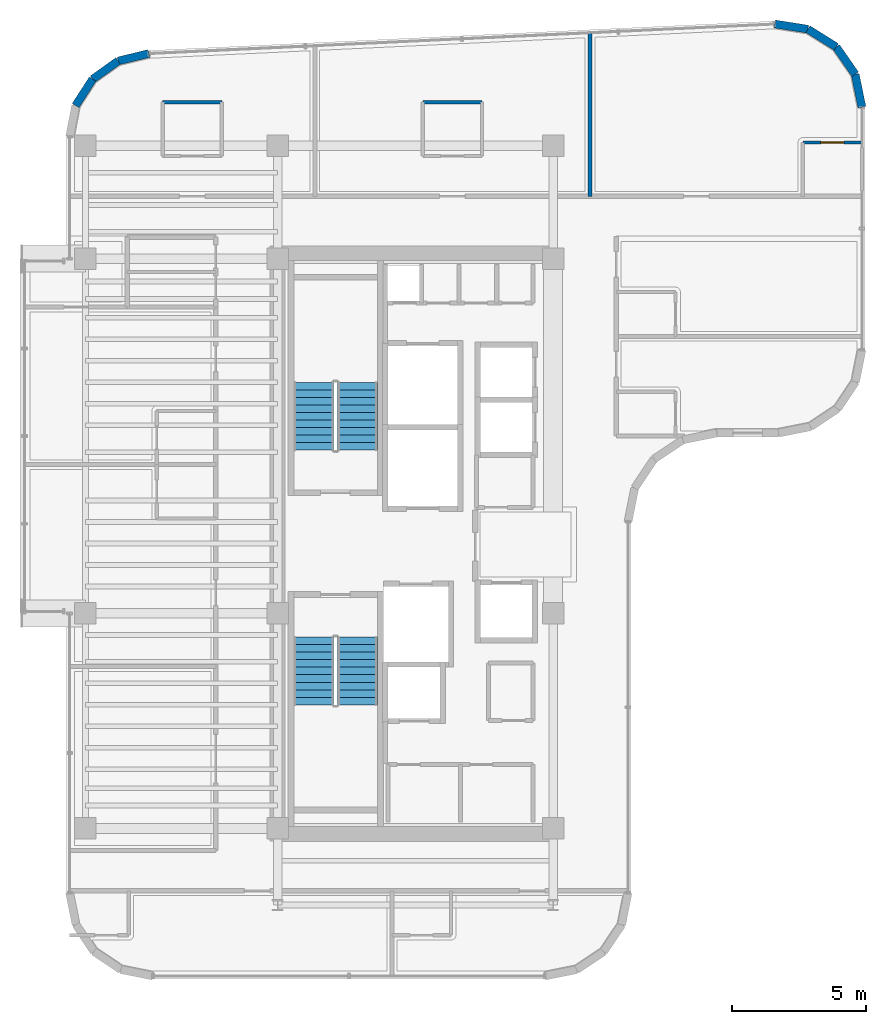
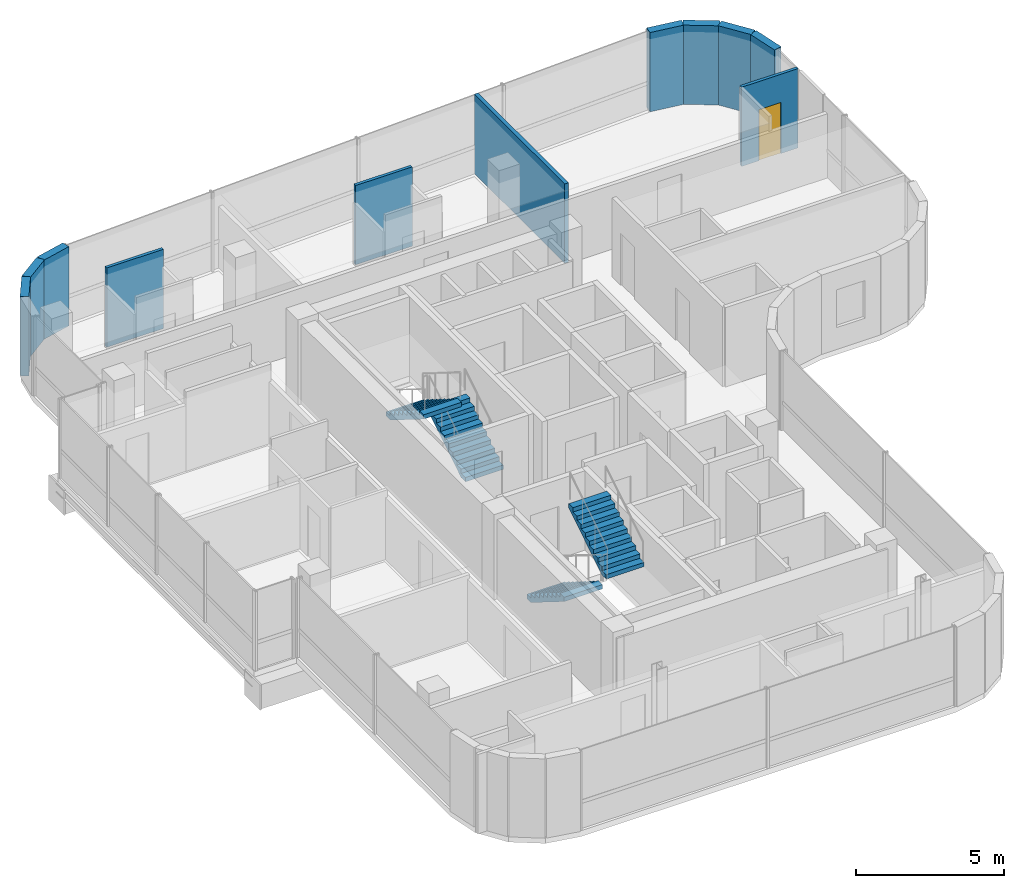
# One storey, part 17 of 20: 11 walls, 4 stair flights, 1 door, 1 opening, 2 elements without a shape of their own.
"""IFC4 building model written with IfcOpenShell, lengths in metres."""

from ifc_helpers import new_model, si_unit, direction, frame, frame_2d, origin, place, context, subcontext, project, spatial, polyline, rectangle, outline, extrude, material, layer, layer_set, type_object, element, fill, aggregate, save


model = new_model("IFC4")

# Units and contexts
model_context = context("Model", 3, precision=1e-05, world=origin(), true_north=direction((0.0, 1.0)))
body_context = subcontext(model_context, "Body", "Model", "MODEL_VIEW")
ifc_project = project(units=[si_unit("LENGTHUNIT", "METRE"), si_unit("AREAUNIT", "SQUARE_METRE"), si_unit("VOLUMEUNIT", "CUBIC_METRE"), si_unit("PLANEANGLEUNIT", "RADIAN"), si_unit("MASSUNIT", "GRAM", prefix="KILO")], contexts=[model_context])

# Site, building, storey
site_placement = place(None, origin())
site = spatial("IfcSite", under=ifc_project, at=site_placement, CompositionType="ELEMENT")
building_placement = place(site_placement, origin())
building = spatial("IfcBuilding", under=site, at=building_placement, Name="Valdorenza Pilgrim Sanctuary Tower", CompositionType="ELEMENT")
storey_placement = place(building_placement, frame((0.0, 0.0, 244.0)))
storey = spatial("IfcBuildingStorey", under=building, at=storey_placement, Name="L63", CompositionType="ELEMENT", Elevation=244.0)

# Walls
ifc_material_1 = material(Name="Honed travertine limestone", Category="masonry")
ifc_layer_1 = layer(ifc_material_1, 0.300048828125, Name="Honed travertine limestone")
ifc_layer_set_1 = layer_set([ifc_layer_1], Name="Honed travertine limestone")
wall_type_1 = type_object("IfcWallType", Name="WAL-EXT-300", PredefinedType="SOLIDWALL", material=ifc_layer_set_1)
wall_1_placement = place(storey_placement, frame((-30.16650390625, 16.29541015625, 0.0), z_axis=(0.0, 0.0, 1.0), x_axis=(0.540842020947, 0.841124193195, 0.0)))
element("IfcWall", 1, at=wall_1_placement, inside=storey, type_object=wall_type_1, Name="L63 Rounded Wind-Corner Stone Pier 3", PredefinedType="SOLIDWALL", context=body_context, shape_type="SweptSolid", body=[
    extrude(rectangle(XDim=1.169189453125, YDim=0.300048828125, at=frame_2d((0.58447265625, 0.0))), origin(), (0.0, 0.0, 1.0), 3.260009765625),
])
wall_2_placement = place(storey_placement, frame((-29.5341796875, 17.27880859375, 0.0), z_axis=(0.0, 0.0, 1.0), x_axis=(0.81466371606, 0.579933642527, 0.0)))
element("IfcWall", 2, at=wall_2_placement, inside=storey, type_object=wall_type_1, Name="L63 Rounded Wind-Corner Stone Pier 4", PredefinedType="SOLIDWALL", context=body_context, shape_type="SweptSolid", body=[
    extrude(rectangle(XDim=1.1689453125, YDim=0.300048828125, at=frame_2d((0.58447265625, 0.0))), origin(), (0.0, 0.0, 1.0), 3.260009765625),
])
wall_3_placement = place(storey_placement, frame((-28.581787109375, 17.956787109375, 0.0), z_axis=(0.0, 0.0, 1.0), x_axis=(0.971929016595, 0.235274279725, 0.0)))
element("IfcWall", 3, at=wall_3_placement, inside=storey, type_object=wall_type_1, Name="L63 Rounded Wind-Corner Stone Pier 5", PredefinedType="SOLIDWALL", context=body_context, shape_type="SweptSolid", body=[
    extrude(rectangle(XDim=1.179931640625, YDim=0.300048828125, at=frame_2d((0.58984375, 0.0))), origin(), (0.0, 0.0, 1.0), 3.260009765625),
])
wall_4_placement = place(storey_placement, frame((-4.15673828125, 19.331787109375, 0.0), z_axis=(0.0, 0.0, 1.0), x_axis=(0.987969236552, -0.15465053387, 0.0)))
element("IfcWall", 4, at=wall_4_placement, inside=storey, type_object=wall_type_1, Name="L63 Rounded Wind-Corner Stone Pier 7", PredefinedType="SOLIDWALL", context=body_context, shape_type="SweptSolid", body=[
    extrude(rectangle(XDim=1.251953125, YDim=0.300048828125, at=frame_2d((0.6259765625, 0.0))), origin(), (0.0, 0.0, 1.0), 3.260009765625),
])
for number, where, z_axis, x_axis, name in (
    (5, (-2.919921875, 19.13818359375, 0.0), (0.0, 0.0, 1.0), (0.847489288141, -0.530812496543, 0.0), "L63 Rounded Wind-Corner Stone Pier 8"),
    (6, (-1.86865234375, 18.479736328125, 0.0), (0.0, 0.0, 1.0), (0.570181861951, -0.821518499063, 0.0), "L63 Rounded Wind-Corner Stone Pier 9"),
):
    element("IfcWall", number, at=place(storey_placement, frame(where, z_axis=z_axis, x_axis=x_axis)), inside=storey, type_object=wall_type_1, Name=name, PredefinedType="SOLIDWALL", context=body_context, shape_type="SweptSolid", body=[
        extrude(rectangle(XDim=1.240478515625, YDim=0.300048828125, at=frame_2d((0.6201171875, 0.0))), origin(), (0.0, 0.0, 1.0), 3.260009765625),
    ])
wall_5_placement = place(storey_placement, frame((-1.161376953125, 17.460693359375, 0.0), z_axis=(0.0, 0.0, 1.0), x_axis=(0.20087696073, -0.979616479367, 0.0)))
element("IfcWall", 7, at=wall_5_placement, inside=storey, type_object=wall_type_1, Name="L63 Rounded Wind-Corner Stone Pier 10", PredefinedType="SOLIDWALL", context=body_context, shape_type="SweptSolid", body=[
    extrude(rectangle(XDim=1.251953125, YDim=0.300048828125, at=frame_2d((0.6259765625, 0.0))), origin(), (0.0, 0.0, 1.0), 3.260009765625),
])
ifc_material_2 = material(Name="Moisture-resistant gypsum partition", Category="gypsum")
ifc_layer_2 = layer(ifc_material_2, 0.1201171875, Name="Moisture-resistant gypsum partition")
ifc_layer_set_2 = layer_set([ifc_layer_2], Name="Moisture-resistant gypsum partition")
wall_type_2 = type_object("IfcWallType", Name="WAL-INT-120", PredefinedType="PARTITIONING", material=ifc_layer_set_2)
for number, where, z_axis, x_axis, name in (
    (8, (-26.928466796875, 16.419921875, 0.0), (0.0, 0.0, 1.0), (1.0, 0.0, 0.0), "L63 North Guest Room L63-N1 En-suite Back Wall"),
    (9, (-17.25, 16.419921875, 0.0), (0.0, 0.0, 1.0), (1.0, 0.0, 0.0), "L63 North Guest Room L63-N2 En-suite Back Wall"),
):
    element("IfcWall", number, at=place(storey_placement, frame(where, z_axis=z_axis, x_axis=x_axis)), inside=storey, type_object=wall_type_2, Name=name, PredefinedType="PARTITIONING", context=body_context, shape_type="SweptSolid", body=[
        extrude(rectangle(XDim=2.199951171875, YDim=0.1201171875, at=frame_2d((1.10009765625, 0.0))), origin(), (0.0, 0.0, 1.0), 3.260009765625),
    ])

# Wall, opening, door
wall_6_placement = place(storey_placement, frame((-3.110107421875, 14.919921875, 0.0), z_axis=(0.0, 0.0, 1.0), x_axis=(1.0, 0.0, 0.0)))
wall_6 = element("IfcWall", 10, at=wall_6_placement, inside=storey, type_object=wall_type_2, Name="L63 North Guest Room L63-N3 En-suite Door Wall", PredefinedType="PARTITIONING", context=body_context, shape_type="SweptSolid", body=[
    extrude(rectangle(XDim=2.2001953125, YDim=0.1201171875, at=frame_2d((1.10009765625, 0.0))), origin(), (0.0, 0.0, 1.0), 3.260009765625),
])
opening_placement = place(wall_6_placement, frame((0.675048828125, 0.0, 0.0)))
opening = element("IfcOpeningElement", 11, at=opening_placement, cuts=wall_6, Name="Opening DR-WC1", PredefinedType="OPENING", context=body_context, shape_type="SweptSolid", body=[
    extrude(rectangle(XDim=0.85009765625, YDim=2.10009765625, at=frame_2d((0.425048828125, 1.050048828125))), frame((0.0, 0.074951171875, 0.0), z_axis=(0.0, -1.0, 0.0), x_axis=(1.0, 0.0, 0.0)), (0.0, 0.0, 1.0), 0.14990234375),
])
ifc_material_3 = material(Name="Moisture-resistant lacquered timber", Category="wood")
door_type = type_object("IfcDoorType", Name="DR-BATH-850", OperationType="NOTDEFINED", PredefinedType="DOOR", material=ifc_material_3)
door_placement = place(opening_placement, origin())
door = element("IfcDoor", 12, at=door_placement, inside=storey, type_object=door_type, Name="L63 North Guest Room L63-N3 En-suite Bathroom Door", OperationType="SINGLE_SWING_RIGHT", OverallHeight=2.10009765625, OverallWidth=0.85009765625, PredefinedType="DOOR", context=body_context, shape_type="SweptSolid", body=[
    extrude(rectangle(XDim=0.85009765625, YDim=2.10009765625, at=frame_2d((0.425048828125, 1.050048828125))), frame((0.0, 0.02490234375, 0.0), z_axis=(0.0, -1.0, 0.0), x_axis=(1.0, 0.0, 0.0)), (0.0, 0.0, 1.0), 0.050048828125),
])
fill(opening, door)

# Wall
ifc_material_4 = material(Name="Acoustic twin-stud gypsum partition", Category="gypsum")
ifc_layer_3 = layer(ifc_material_4, 0.14990234375, Name="Acoustic twin-stud gypsum partition")
ifc_layer_set_3 = layer_set([ifc_layer_3], Name="Acoustic twin-stud gypsum partition")
wall_type_3 = type_object("IfcWallType", Name="WAL-UNT-150", PredefinedType="PARTITIONING", material=ifc_layer_set_3)
wall_7_placement = place(storey_placement, frame((-11.032958984375, 12.919921875, 0.0), z_axis=(0.0, 0.0, 1.0), x_axis=(0.0, 1.0, 0.0)))
element("IfcWall", 13, at=wall_7_placement, inside=storey, type_object=wall_type_3, Name="L63 North Demising 2", PredefinedType="PARTITIONING", context=body_context, shape_type="SweptSolid", body=[
    extrude(rectangle(XDim=6.087646484375, YDim=0.14990234375, at=frame_2d((3.0439453125, 0.0))), origin(), (0.0, 0.0, 1.0), 3.260009765625),
])

# Stair, stair flights
ifc_material_5 = material(Name="Concrete C40/50", Category="concrete")
stair_type = type_object("IfcStairType", Name="STR-DOG-CORE", PredefinedType="HALF_TURN_STAIR", material=ifc_material_5)
stair_1_placement = place(storey_placement, origin())
stair_1 = element("IfcStair", 14, at=stair_1_placement, inside=storey, type_object=stair_type, Name="L63 ST-A1", PredefinedType="HALF_TURN_STAIR")
stair_flight_type = type_object("IfcStairFlightType", Name="STF-RC-1400", PredefinedType="STRAIGHT", material=ifc_material_5)
stair_flight_1_placement = place(storey_placement, frame((-19.679931640625, 3.47998046875, 0.0), z_axis=(0.0, 0.0, 1.0), x_axis=(0.0, 1.0, 0.0)))
stair_flight_1 = element("IfcStairFlight", 15, at=stair_flight_1_placement, type_object=stair_flight_type, Name="ST-A1 flight 1", NumberOfRisers=10, NumberOfTreads=9, PredefinedType="STRAIGHT", RiserHeight=0.175, TreadLength=0.28, context=body_context, shape_type="SweptSolid", body=[
    extrude(outline(polyline([(0.0, 0.0), (0.0, 0.175048828125), (0.280029296875, 0.175048828125), (0.280029296875, 0.35009765625), (0.56005859375, 0.35009765625), (0.56005859375, 0.52490234375), (0.840087890625, 0.52490234375), (0.840087890625, 0.699951171875), (1.1201171875, 0.699951171875), (1.1201171875, 0.875), (1.39990234375, 0.875), (1.39990234375, 1.050048828125), (1.679931640625, 1.050048828125), (1.679931640625, 1.22509765625), (1.9599609375, 1.22509765625), (1.9599609375, 1.39990234375), (2.239990234375, 1.39990234375), (2.239990234375, 1.574951171875), (2.52001953125, 1.574951171875), (2.52001953125, 1.75), (2.52001953125, 1.398193359375), (0.28271484375, 0.0), (0.0, 0.0)])), frame((0.0, 0.739990234375, 0.0), z_axis=(0.0, -1.0, 0.0), x_axis=(1.0, 0.0, 0.0)), (0.0, 0.0, 1.0), 1.47998046875),
])
stair_flight_2_placement = place(storey_placement, frame((-21.31005859375, 6.0, 1.75), z_axis=(0.0, 0.0, 1.0), x_axis=(0.0, -1.0, 0.0)))
stair_flight_2 = element("IfcStairFlight", 16, at=stair_flight_2_placement, type_object=stair_flight_type, Name="ST-A1 flight 2", NumberOfRisers=10, NumberOfTreads=9, PredefinedType="STRAIGHT", RiserHeight=0.175, TreadLength=0.28, context=body_context, shape_type="SweptSolid", body=[
    extrude(outline(polyline([(0.0, 0.0), (0.0, 0.175048828125), (0.280029296875, 0.175048828125), (0.280029296875, 0.35009765625), (0.56005859375, 0.35009765625), (0.56005859375, 0.52490234375), (0.840087890625, 0.52490234375), (0.840087890625, 0.699951171875), (1.1201171875, 0.699951171875), (1.1201171875, 0.875), (1.39990234375, 0.875), (1.39990234375, 1.050048828125), (1.679931640625, 1.050048828125), (1.679931640625, 1.22509765625), (1.9599609375, 1.22509765625), (1.9599609375, 1.39990234375), (2.239990234375, 1.39990234375), (2.239990234375, 1.574951171875), (2.52001953125, 1.574951171875), (2.52001953125, 1.75), (2.52001953125, 1.398193359375), (0.28271484375, 0.0), (0.0, 0.0)])), frame((0.0, 0.739990234375, 0.0), z_axis=(0.0, -1.0, 0.0), x_axis=(1.0, 0.0, 0.0)), (0.0, 0.0, 1.0), 1.47998046875),
])
aggregate(stair_1, [stair_flight_1, stair_flight_2])

stair_2_placement = place(storey_placement, origin())
stair_2 = element("IfcStair", 17, at=stair_2_placement, inside=storey, type_object=stair_type, Name="L63 ST-A2", PredefinedType="HALF_TURN_STAIR")
stair_flight_3_placement = place(storey_placement, frame((-21.31005859375, -3.47998046875, 0.0), z_axis=(0.0, 0.0, 1.0), x_axis=(0.0, -1.0, 0.0)))
stair_flight_3 = element("IfcStairFlight", 18, at=stair_flight_3_placement, type_object=stair_flight_type, Name="ST-A2 flight 1", NumberOfRisers=10, NumberOfTreads=9, PredefinedType="STRAIGHT", RiserHeight=0.175, TreadLength=0.28, context=body_context, shape_type="SweptSolid", body=[
    extrude(outline(polyline([(0.0, 0.0), (0.0, 0.175048828125), (0.280029296875, 0.175048828125), (0.280029296875, 0.35009765625), (0.56005859375, 0.35009765625), (0.56005859375, 0.52490234375), (0.840087890625, 0.52490234375), (0.840087890625, 0.699951171875), (1.1201171875, 0.699951171875), (1.1201171875, 0.875), (1.39990234375, 0.875), (1.39990234375, 1.050048828125), (1.679931640625, 1.050048828125), (1.679931640625, 1.22509765625), (1.9599609375, 1.22509765625), (1.9599609375, 1.39990234375), (2.239990234375, 1.39990234375), (2.239990234375, 1.574951171875), (2.52001953125, 1.574951171875), (2.52001953125, 1.75), (2.52001953125, 1.398193359375), (0.28271484375, 0.0), (0.0, 0.0)])), frame((0.0, 0.739990234375, 0.0), z_axis=(0.0, -1.0, 0.0), x_axis=(1.0, 0.0, 0.0)), (0.0, 0.0, 1.0), 1.47998046875),
])
stair_flight_4_placement = place(storey_placement, frame((-19.679931640625, -6.0, 1.75), z_axis=(0.0, 0.0, 1.0), x_axis=(0.0, 1.0, 0.0)))
stair_flight_4 = element("IfcStairFlight", 19, at=stair_flight_4_placement, type_object=stair_flight_type, Name="ST-A2 flight 2", NumberOfRisers=10, NumberOfTreads=9, PredefinedType="STRAIGHT", RiserHeight=0.175, TreadLength=0.28, context=body_context, shape_type="SweptSolid", body=[
    extrude(outline(polyline([(0.0, 0.0), (0.0, 0.175048828125), (0.280029296875, 0.175048828125), (0.280029296875, 0.35009765625), (0.56005859375, 0.35009765625), (0.56005859375, 0.52490234375), (0.840087890625, 0.52490234375), (0.840087890625, 0.699951171875), (1.1201171875, 0.699951171875), (1.1201171875, 0.875), (1.39990234375, 0.875), (1.39990234375, 1.050048828125), (1.679931640625, 1.050048828125), (1.679931640625, 1.22509765625), (1.9599609375, 1.22509765625), (1.9599609375, 1.39990234375), (2.239990234375, 1.39990234375), (2.239990234375, 1.574951171875), (2.52001953125, 1.574951171875), (2.52001953125, 1.75), (2.52001953125, 1.398193359375), (0.28271484375, 0.0), (0.0, 0.0)])), frame((0.0, 0.739990234375, 0.0), z_axis=(0.0, -1.0, 0.0), x_axis=(1.0, 0.0, 0.0)), (0.0, 0.0, 1.0), 1.47998046875),
])
aggregate(stair_2, [stair_flight_3, stair_flight_4])

save(model, "model.ifc")
